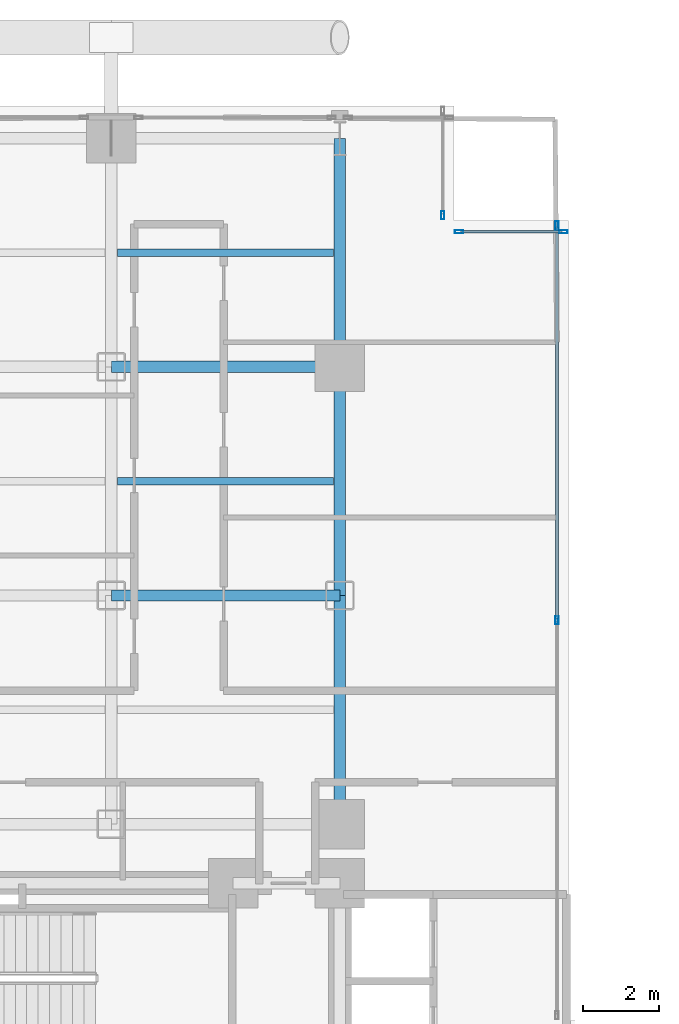
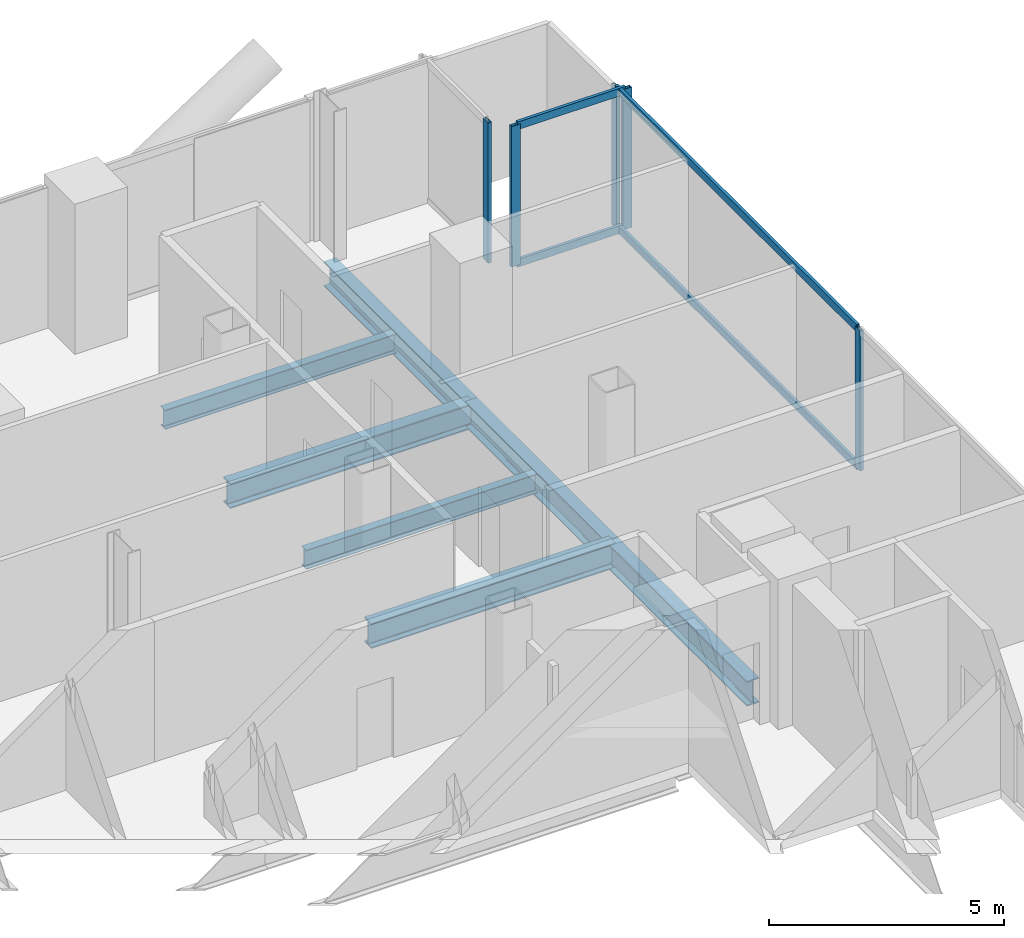
# One storey, part 15 of 27: 9 members, 7 beams, 3 elements without a shape of their own.
"""IFC4 building model written with IfcOpenShell, lengths in metres."""

from ifc_helpers import new_model, si_unit, direction, frame, origin, origin_2d, place, context, subcontext, project, spatial, hollow_rectangle, i_section, extrude, material, layer, layer_set, material_profile, profile_set, type_object, element, aggregate, save


model = new_model("IFC4")

# Units and contexts
model_context = context("Model", 3, precision=1e-05, world=origin(), true_north=direction((0.0, 1.0)))
body_context = subcontext(model_context, "Body", "Model", "MODEL_VIEW")
ifc_project = project(units=[si_unit("LENGTHUNIT", "METRE"), si_unit("AREAUNIT", "SQUARE_METRE"), si_unit("VOLUMEUNIT", "CUBIC_METRE"), si_unit("PLANEANGLEUNIT", "RADIAN"), si_unit("MASSUNIT", "GRAM", prefix="KILO"), si_unit("THERMODYNAMICTEMPERATUREUNIT", "KELVIN"), si_unit("POWERUNIT", "WATT")], contexts=[model_context])

# Site, building, storey
site_placement = place(None, origin())
site = spatial("IfcSite", under=ifc_project, at=site_placement, CompositionType="ELEMENT")
building_placement = place(site_placement, origin())
building = spatial("IfcBuilding", under=site, at=building_placement, Name="Svarakhadi Broadcast Tower", CompositionType="ELEMENT")
storey_placement = place(building_placement, frame((0.0, 0.0, 44.10009765625)))
storey = spatial("IfcBuildingStorey", under=building, at=storey_placement, Name="L09", CompositionType="ELEMENT", Elevation=44.10009765625)

# Beams
ifc_material_1 = material(Name="Steel S355J2 (IS 2062 E350C)", Category="steel")
ifc_material_profile_1 = material_profile(ifc_material_1, i_section(OverallWidth=0.199951171875, OverallDepth=0.5, WebThickness=0.01025390625, FlangeThickness=0.01611328125, FilletRadius=0.02099609375, at=origin_2d()), Name="NPB 500x200x91")
ifc_profile_set_1 = profile_set([ifc_material_profile_1], Name="Steel S355J2 (IS 2062 E350C)")
beam_type_1 = type_object("IfcBeamType", Name="Beam_NPB500", PredefinedType="BEAM", material=ifc_profile_set_1)
for number, where, z_axis, x_axis, name in (
    (1, (12.159912109375, 38.14990234375, -0.5), (1.0, 0.0, 0.0), (0.0, 1.0, 0.0), "L09 Secondary Composite Beam SB017"),
    (2, (12.159912109375, 44.14990234375, -0.5), (1.0, 0.0, 0.0), (0.0, 1.0, 0.0), "L09 Secondary Composite Beam SB018"),
):
    element("IfcBeam", number, at=place(storey_placement, frame(where, z_axis=z_axis, x_axis=x_axis)), inside=storey, type_object=beam_type_1, Name=name, PredefinedType="BEAM", context=body_context, shape_type="SweptSolid", body=[
        extrude(i_section(OverallWidth=0.199951171875, OverallDepth=0.5, WebThickness=0.01025390625, FlangeThickness=0.01611328125, FilletRadius=0.02099609375, at=origin_2d()), origin(), (0.0, 0.0, 1.0), 5.68017578125),
    ])

# Curtain wall, member
ifc_material_2 = material(Name="Anodised Bronze Aluminium AA 6063-T6", Category="aluminium")
ifc_layer = layer(ifc_material_2, 0.219970703125)
ifc_layer_set = layer_set([ifc_layer], Name="Anodised Bronze Aluminium AA 6063-T6")
curtain_wall_type = type_object("IfcCurtainWallType", Name="CW_Sys_02", PredefinedType="NOTDEFINED", material=ifc_layer_set)
curtain_wall_1_placement = place(storey_placement, origin())
curtain_wall_1 = element("IfcCurtainWall", 3, at=curtain_wall_1_placement, inside=storey, type_object=curtain_wall_type, Name="L09 Unitised Facade Curtain Wall 07", PredefinedType="NOTDEFINED")
ifc_material_profile_2 = material_profile(ifc_material_2, hollow_rectangle(XDim=0.0849609375, YDim=0.219970703125, WallThickness=0.006103515625, at=origin_2d()), Name="ALU MULLION 220x85x6")
ifc_profile_set_2 = profile_set([ifc_material_profile_2], Name="Anodised Bronze Aluminium AA 6063-T6")
member_type_1 = type_object("IfcMemberType", Name="CW_Sys_02_Mul", PredefinedType="MULLION", material=ifc_profile_set_2)
member_1_placement = place(storey_placement, frame((20.699951171875, 45.132568359375, 0.0), z_axis=(0.0, 0.0, 1.0), x_axis=(1.0, 0.0, 0.0)))
member_1 = element("IfcMember", 4, at=member_1_placement, type_object=member_type_1, Name="CW-02 mullion 2", PredefinedType="MULLION", context=body_context, shape_type="SweptSolid", body=[
    extrude(hollow_rectangle(XDim=0.0849609375, YDim=0.219970703125, WallThickness=0.006103515625, at=origin_2d()), origin(), (0.0, 0.0, 1.0), 3.64990234375),
])
aggregate(curtain_wall_1, [member_1])

# Curtain wall, members
curtain_wall_2_placement = place(storey_placement, origin())
curtain_wall_2 = element("IfcCurtainWall", 5, at=curtain_wall_2_placement, inside=storey, type_object=curtain_wall_type, Name="L09 Unitised Facade Curtain Wall 08", PredefinedType="NOTDEFINED")
member_2_placement = place(storey_placement, frame((21.132568359375, 44.699951171875, 0.0), z_axis=(0.0, 0.0, 1.0), x_axis=(0.0, 1.0, 0.0)))
member_2 = element("IfcMember", 6, at=member_2_placement, type_object=member_type_1, Name="CW-02 mullion 1", PredefinedType="MULLION", context=body_context, shape_type="SweptSolid", body=[
    extrude(hollow_rectangle(XDim=0.0849609375, YDim=0.219970703125, WallThickness=0.006103515625, at=origin_2d()), origin(), (0.0, 0.0, 1.0), 3.64990234375),
])
member_3_placement = place(storey_placement, frame((23.867431640625, 44.699951171875, 0.0), z_axis=(0.0, 0.0, 1.0), x_axis=(0.0, 1.0, 0.0)))
member_3 = element("IfcMember", 7, at=member_3_placement, type_object=member_type_1, Name="CW-02 mullion 2", PredefinedType="MULLION", context=body_context, shape_type="SweptSolid", body=[
    extrude(hollow_rectangle(XDim=0.0849609375, YDim=0.219970703125, WallThickness=0.006103515625, at=origin_2d()), origin(), (0.0, 0.0, 1.0), 3.64990234375),
])

curtain_wall_3_placement = place(storey_placement, origin())
curtain_wall_3 = element("IfcCurtainWall", 8, at=curtain_wall_3_placement, inside=storey, type_object=curtain_wall_type, Name="L09 Unitised Facade Curtain Wall 09", PredefinedType="NOTDEFINED")
member_4_placement = place(storey_placement, frame((23.699951171875, 44.867431640625, 0.0), z_axis=(0.0, 0.0, 1.0), x_axis=(1.0, 0.0, 0.0)))
member_4 = element("IfcMember", 9, at=member_4_placement, type_object=member_type_1, Name="CW-02 mullion 1", PredefinedType="MULLION", context=body_context, shape_type="SweptSolid", body=[
    extrude(hollow_rectangle(XDim=0.0849609375, YDim=0.219970703125, WallThickness=0.006103515625, at=origin_2d()), origin(), (0.0, 0.0, 1.0), 3.64990234375),
])
member_5_placement = place(storey_placement, frame((23.699951171875, 34.5, 0.0), z_axis=(0.0, 0.0, 1.0), x_axis=(1.0, 0.0, 0.0)))
member_5 = element("IfcMember", 10, at=member_5_placement, type_object=member_type_1, Name="CW-02 mullion 2", PredefinedType="MULLION", context=body_context, shape_type="SweptSolid", body=[
    extrude(hollow_rectangle(XDim=0.0849609375, YDim=0.219970703125, WallThickness=0.006103515625, at=origin_2d()), origin(), (0.0, 0.0, 1.0), 3.64990234375),
])

# Member
ifc_material_profile_3 = material_profile(ifc_material_2, hollow_rectangle(XDim=0.074951171875, YDim=0.199951171875, WallThickness=0.0048828125, at=origin_2d()), Name="ALU TRANSOM 200x75x5")
ifc_profile_set_3 = profile_set([ifc_material_profile_3], Name="Anodised Bronze Aluminium AA 6063-T6")
member_type_2 = type_object("IfcMemberType", Name="CW_Sys_02_Trn", PredefinedType="USERDEFINED", material=ifc_profile_set_3)
member_6_placement = place(storey_placement, frame((21.175048828125, 44.699951171875, 0.037353515625), z_axis=(1.0, 0.0, 0.0), x_axis=(0.0, 1.0, 0.0)))
member_6 = element("IfcMember", 11, at=member_6_placement, type_object=member_type_2, Name="CW-02 transom 1.1", ObjectType="TRANSOM", PredefinedType="USERDEFINED", context=body_context, shape_type="SweptSolid", body=[
    extrude(hollow_rectangle(XDim=0.074951171875, YDim=0.199951171875, WallThickness=0.0048828125, at=origin_2d()), origin(), (0.0, 0.0, 1.0), 2.64990234375),
])

member_7_placement = place(storey_placement, frame((21.175048828125, 44.699951171875, 3.6123046875), z_axis=(1.0, 0.0, 0.0), x_axis=(0.0, 1.0, 0.0)))
member_7 = element("IfcMember", 12, at=member_7_placement, type_object=member_type_2, Name="CW-02 transom 1.2", ObjectType="TRANSOM", PredefinedType="USERDEFINED", context=body_context, shape_type="SweptSolid", body=[
    extrude(hollow_rectangle(XDim=0.074951171875, YDim=0.199951171875, WallThickness=0.0048828125, at=origin_2d()), origin(), (0.0, 0.0, 1.0), 2.64990234375),
])

aggregate(curtain_wall_2, [member_2, member_3, member_6, member_7])

member_8_placement = place(storey_placement, frame((23.699951171875, 44.824951171875, 0.037353515625), z_axis=(0.0, -1.0, 0.0), x_axis=(1.0, 0.0, 0.0)))
member_8 = element("IfcMember", 13, at=member_8_placement, type_object=member_type_2, Name="CW-02 transom 1.1", ObjectType="TRANSOM", PredefinedType="USERDEFINED", context=body_context, shape_type="SweptSolid", body=[
    extrude(hollow_rectangle(XDim=0.074951171875, YDim=0.199951171875, WallThickness=0.0048828125, at=origin_2d()), origin(), (0.0, 0.0, 1.0), 10.282470703125),
])

member_9_placement = place(storey_placement, frame((23.699951171875, 44.824951171875, 3.6123046875), z_axis=(0.0, -1.0, 0.0), x_axis=(1.0, 0.0, 0.0)))
member_9 = element("IfcMember", 14, at=member_9_placement, type_object=member_type_2, Name="CW-02 transom 1.2", ObjectType="TRANSOM", PredefinedType="USERDEFINED", context=body_context, shape_type="SweptSolid", body=[
    extrude(hollow_rectangle(XDim=0.074951171875, YDim=0.199951171875, WallThickness=0.0048828125, at=origin_2d()), origin(), (0.0, 0.0, 1.0), 10.282470703125),
])

aggregate(curtain_wall_3, [member_4, member_5, member_8, member_9])

# Beams
ifc_material_profile_4 = material_profile(ifc_material_1, i_section(OverallWidth=0.300048828125, OverallDepth=0.64990234375, WebThickness=0.01611328125, FlangeThickness=0.031005859375, FilletRadius=0.027099609375, at=origin_2d()), Name="WPB 650x300x225")
ifc_profile_set_4 = profile_set([ifc_material_profile_4], Name="Steel S355J2 (IS 2062 E350C)")
beam_type_2 = type_object("IfcBeamType", Name="Girder_WPB650", PredefinedType="USERDEFINED", material=ifc_profile_set_4)
for number, where, z_axis, x_axis, name in (
    (15, (12.0, 35.14990234375, -0.5751953125), (1.0, 0.0, 0.0), (0.0, 1.0, 0.0), "L09 Primary E-W Girder G039"),
    (16, (12.0, 41.14990234375, -0.5751953125), (1.0, 0.0, 0.0), (0.0, 1.0, 0.0), "L09 Primary E-W Girder G042"),
    (17, (18.0, 29.14990234375, -0.5751953125), (0.0, 1.0, 0.0), (-1.0, 0.0, 0.0), "L09 Primary N-S Girder G068"),
    (18, (18.0, 35.14990234375, -0.5751953125), (0.0, 1.0, 0.0), (-1.0, 0.0, 0.0), "L09 Primary N-S Girder G069"),
    (19, (18.0, 41.14990234375, -0.5751953125), (0.0, 1.0, 0.0), (-1.0, 0.0, 0.0), "L09 Primary N-S Girder G070"),
):
    element("IfcBeam", number, at=place(storey_placement, frame(where, z_axis=z_axis, x_axis=x_axis)), inside=storey, type_object=beam_type_2, Name=name, ObjectType="GIRDER", PredefinedType="USERDEFINED", context=body_context, shape_type="SweptSolid", body=[
        extrude(i_section(OverallWidth=0.300048828125, OverallDepth=0.64990234375, WebThickness=0.01611328125, FlangeThickness=0.031005859375, FilletRadius=0.027099609375, at=origin_2d()), origin(), (0.0, 0.0, 1.0), 6.0),
    ])

save(model, "model.ifc")
